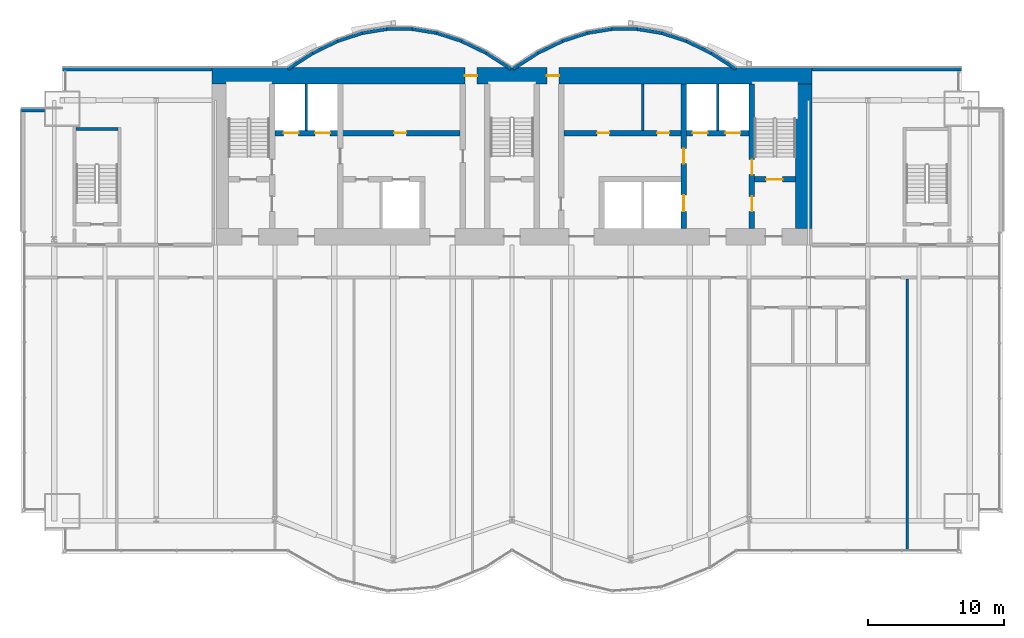
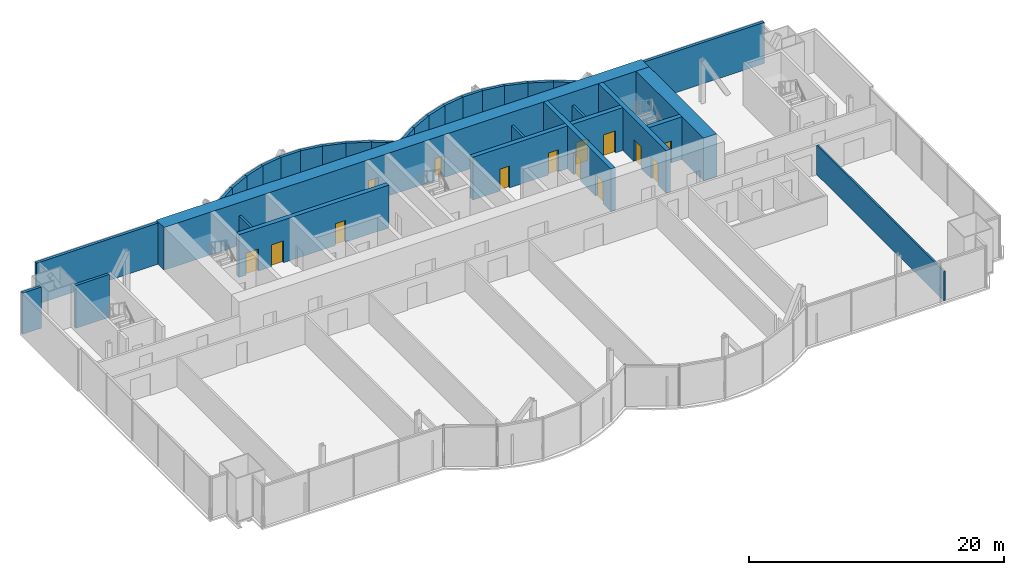
# One storey, part 18 of 22: 33 walls, 14 doors, 14 openings.
"""IFC4 building model written with IfcOpenShell, lengths in metres."""

from ifc_helpers import new_model, si_unit, direction, frame, frame_2d, origin, place, context, subcontext, project, spatial, rectangle, extrude, material, layer, layer_set, layer_usage, type_object, element, fill, save


model = new_model("IFC4")

# Units and contexts
model_context = context("Model", 3, precision=1e-05, world=origin(), true_north=direction((0.0, 1.0)))
body_context = subcontext(model_context, "Body", "Model", "MODEL_VIEW")
ifc_project = project(units=[si_unit("LENGTHUNIT", "METRE"), si_unit("AREAUNIT", "SQUARE_METRE"), si_unit("VOLUMEUNIT", "CUBIC_METRE"), si_unit("PLANEANGLEUNIT", "RADIAN"), si_unit("MASSUNIT", "GRAM", prefix="KILO")], contexts=[model_context])

# Site, building, storey
site_placement = place(None, origin())
site = spatial("IfcSite", under=ifc_project, at=site_placement, CompositionType="ELEMENT")
building_placement = place(site_placement, origin())
building = spatial("IfcBuilding", under=site, at=building_placement, Name="Bicima Exchange Tower", CompositionType="ELEMENT")
storey_placement = place(building_placement, frame((0.0, 0.0, 148.60009765625)))
storey = spatial("IfcBuildingStorey", under=building, at=storey_placement, Name="L32", CompositionType="ELEMENT", Elevation=148.60009765625)

# Walls
ifc_material_1 = material(Name="Gypsum board partition")
ifc_layer_1 = layer(ifc_material_1, 0.199951171875)
ifc_layer_set_1 = layer_set([ifc_layer_1], Name="Gypsum board partition")
wall_type_1 = type_object("IfcWallType", Name="Fire-rated gypsum partition 200 EI120", PredefinedType="PARTITIONING", material=ifc_layer_set_1)
for number, where, z_axis, x_axis, name in (
    (1, (-15.10009765625, -4.60009765625, 0.0), (0.0, 0.0, 1.0), (0.0, 1.0, 0.0), "partition wall 9"),
    (2, (15.10009765625, -4.60009765625, 0.0), (0.0, 0.0, 1.0), (0.0, 1.0, 0.0), "partition wall 21"),
):
    element("IfcWall", number, at=place(storey_placement, frame(where, z_axis=z_axis, x_axis=x_axis)), inside=storey, type_object=wall_type_1, Name=name, PredefinedType="PARTITIONING", context=body_context, shape_type="SweptSolid", body=[
        extrude(rectangle(XDim=3.400146484375, YDim=0.199951171875, at=frame_2d((1.7001953125, 0.0))), origin(), (0.0, 0.0, 1.0), 2.840087890625),
    ])
ifc_layer_2 = layer(ifc_material_1, 0.199951171875)
ifc_layer_set_2 = layer_set([ifc_layer_2], Name="Gypsum board partition")
wall_type_2 = type_object("IfcWallType", Name="Fire-rated gypsum partition 200 EI60", PredefinedType="PARTITIONING", material=ifc_layer_set_2)
wall_1_placement = place(storey_placement, frame((9.60009765625, -4.60009765625, 0.0), z_axis=(0.0, 0.0, 1.0), x_axis=(0.0, 1.0, 0.0)))
element("IfcWall", 3, at=wall_1_placement, inside=storey, type_object=wall_type_2, Name="partition wall 19", PredefinedType="PARTITIONING", context=body_context, shape_type="SweptSolid", body=[
    extrude(rectangle(XDim=3.400146484375, YDim=0.199951171875, at=frame_2d((1.7001953125, 0.0))), origin(), (0.0, 0.0, 1.0), 2.840087890625),
])
ifc_layer_3 = layer(ifc_material_1, 0.14990234375)
ifc_layer_set_3 = layer_set([ifc_layer_3], Name="Gypsum board partition")
wall_type_3 = type_object("IfcWallType", Name="Gypsum partition 150", PredefinedType="PARTITIONING", material=ifc_layer_set_3)
wall_2_placement = place(storey_placement, frame((29.0, -35.449951171875, 0.0), z_axis=(0.0, 0.0, 1.0), x_axis=(0.0, 1.0, 0.0)))
element("IfcWall", 4, at=wall_2_placement, inside=storey, type_object=wall_type_3, Name="partition wall 27", PredefinedType="PARTITIONING", context=body_context, shape_type="SweptSolid", body=[
    extrude(rectangle(XDim=19.949951171875, YDim=0.14990234375, at=frame_2d((9.97509765625, 0.0))), origin(), (0.0, 0.0, 1.0), 2.840087890625),
])

# Wall, openings, doors
ifc_material_2 = material(Name="Concrete C50/60", Category="concrete")
ifc_layer_4 = layer(ifc_material_2, 1.199951171875)
ifc_layer_set_4 = layer_set([ifc_layer_4], Name="Concrete C50/60")
wall_type_4 = type_object("IfcWallType", Name="RC core wall 1200 C50/60", PredefinedType="SHEAR", material=ifc_layer_set_4)
wall_3_placement = place(storey_placement, frame((-22.0, -0.60009765625, 0.0), z_axis=(0.0, 0.0, 1.0), x_axis=(1.0, 0.0, 0.0)))
wall_3 = element("IfcWall", 5, at=wall_3_placement, inside=storey, type_object=wall_type_4, Name="Core wall north", PredefinedType="SHEAR", context=body_context, shape_type="SweptSolid", body=[
    extrude(rectangle(XDim=44.0, YDim=1.199951171875, at=frame_2d((22.0, 0.0))), origin(), (0.0, 0.0, 1.0), 4.099853515625),
])
opening_1_placement = place(wall_3_placement, frame((18.550048828125, 0.0, 0.0)))
opening_1 = element("IfcOpeningElement", 6, at=opening_1_placement, cuts=wall_3, Name="Opening L32-C16", PredefinedType="OPENING", context=body_context, shape_type="SweptSolid", body=[
    extrude(rectangle(XDim=0.89990234375, YDim=2.10009765625, at=frame_2d((0.449951171875, 1.050048828125))), frame((0.0, 0.61181640625, 0.0), z_axis=(0.0, -1.0, 0.0), x_axis=(1.0, 0.0, 0.0)), (0.0, 0.0, 1.0), 1.223876953125),
])
opening_2_placement = place(wall_3_placement, frame((24.550048828125, 0.0, 0.0)))
opening_2 = element("IfcOpeningElement", 7, at=opening_2_placement, cuts=wall_3, Name="Opening L32-C17", PredefinedType="OPENING", context=body_context, shape_type="SweptSolid", body=[
    extrude(rectangle(XDim=0.89990234375, YDim=2.10009765625, at=frame_2d((0.449951171875, 1.050048828125))), frame((0.0, 0.61181640625, 0.0), z_axis=(0.0, -1.0, 0.0), x_axis=(1.0, 0.0, 0.0)), (0.0, 0.0, 1.0), 1.223876953125),
])
ifc_material_3 = material(Name="Steel fire door leaf", Category="steel")
door_type_1 = type_object("IfcDoorType", Name="Door 900 swing FD30S", OperationType="SINGLE_SWING_LEFT", PredefinedType="DOOR", material=ifc_material_3)
door_1_placement = place(opening_1_placement, origin())
door_1 = element("IfcDoor", 8, at=door_1_placement, inside=storey, type_object=door_type_1, Name="Core door", OperationType="SINGLE_SWING_LEFT", OverallHeight=2.10009765625, OverallWidth=0.89990234375, PredefinedType="DOOR", context=body_context, shape_type="SweptSolid", body=[
    extrude(rectangle(XDim=0.89990234375, YDim=2.10009765625, at=frame_2d((0.449951171875, 1.050048828125))), frame((0.0, 0.02490234375, 0.0), z_axis=(0.0, -1.0, 0.0), x_axis=(1.0, 0.0, 0.0)), (0.0, 0.0, 1.0), 0.050048828125),
])
fill(opening_1, door_1)
door_2_placement = place(opening_2_placement, origin())
door_2 = element("IfcDoor", 9, at=door_2_placement, inside=storey, type_object=door_type_1, Name="Core door", OperationType="SINGLE_SWING_LEFT", OverallHeight=2.10009765625, OverallWidth=0.89990234375, PredefinedType="DOOR", context=body_context, shape_type="SweptSolid", body=[
    extrude(rectangle(XDim=0.89990234375, YDim=2.10009765625, at=frame_2d((0.449951171875, 1.050048828125))), frame((0.0, 0.02490234375, 0.0), z_axis=(0.0, -1.0, 0.0), x_axis=(1.0, 0.0, 0.0)), (0.0, 0.0, 1.0), 0.050048828125),
])
fill(opening_2, door_2)

# Wall
wall_4_placement = place(storey_placement, frame((21.39990234375, -11.800048828125, 0.0), z_axis=(0.0, 0.0, 1.0), x_axis=(0.0, 1.0, 0.0)))
element("IfcWall", 10, at=wall_4_placement, inside=storey, type_object=wall_type_4, Name="Core wall east", PredefinedType="SHEAR", context=body_context, shape_type="SweptSolid", body=[
    extrude(rectangle(XDim=10.60009765625, YDim=1.199951171875, at=frame_2d((5.300048828125, 0.0))), origin(), (0.0, 0.0, 1.0), 4.099853515625),
])

# Wall, opening, door
ifc_layer_5 = layer(ifc_material_2, 0.39990234375)
ifc_layer_set_5 = layer_set([ifc_layer_5], Name="Concrete C50/60")
wall_type_5 = type_object("IfcWallType", Name="RC core wall 400 C50/60", PredefinedType="SHEAR", material=ifc_layer_set_5)
wall_5_placement = place(storey_placement, frame((17.800048828125, -8.199951171875, 0.0), z_axis=(0.0, 0.0, 1.0), x_axis=(1.0, 0.0, 0.0)))
wall_5 = element("IfcWall", 11, at=wall_5_placement, inside=storey, type_object=wall_type_5, Name="stair wall 5", PredefinedType="SHEAR", context=body_context, shape_type="SweptSolid", body=[
    extrude(rectangle(XDim=3.0, YDim=0.39990234375, at=frame_2d((1.5, 0.0))), origin(), (0.0, 0.0, 1.0), 4.099853515625),
])
opening_3_placement = place(wall_5_placement, frame((0.85009765625, 0.0, 0.0)))
opening_3 = element("IfcOpeningElement", 12, at=opening_3_placement, cuts=wall_5, Name="Opening L32-C04", PredefinedType="OPENING", context=body_context, shape_type="SweptSolid", body=[
    extrude(rectangle(XDim=1.199951171875, YDim=2.10009765625, at=frame_2d((0.60009765625, 1.050048828125))), frame((0.0, 0.2119140625, 0.0), z_axis=(0.0, -1.0, 0.0), x_axis=(1.0, 0.0, 0.0)), (0.0, 0.0, 1.0), 0.423828125),
])
door_type_2 = type_object("IfcDoorType", Name="Door 1200 swing FD60S", OperationType="SINGLE_SWING_LEFT", PredefinedType="DOOR", material=ifc_material_3)
door_3_placement = place(opening_3_placement, origin())
door_3 = element("IfcDoor", 13, at=door_3_placement, inside=storey, type_object=door_type_2, Name="Core door", OperationType="SINGLE_SWING_RIGHT", OverallHeight=2.10009765625, OverallWidth=1.199951171875, PredefinedType="DOOR", context=body_context, shape_type="SweptSolid", body=[
    extrude(rectangle(XDim=1.199951171875, YDim=2.10009765625, at=frame_2d((0.60009765625, 1.050048828125))), frame((0.0, 0.02490234375, 0.0), z_axis=(0.0, -1.0, 0.0), x_axis=(1.0, 0.0, 0.0)), (0.0, 0.0, 1.0), 0.050048828125),
])
fill(opening_3, door_3)

# Wall, openings, doors
wall_6_placement = place(storey_placement, frame((-17.39990234375, -4.800048828125, 0.0), z_axis=(0.0, 0.0, 1.0), x_axis=(1.0, 0.0, 0.0)))
wall_6 = element("IfcWall", 14, at=wall_6_placement, inside=storey, type_object=wall_type_5, Name="shear wall 6", PredefinedType="SHEAR", context=body_context, shape_type="SweptSolid", body=[
    extrude(rectangle(XDim=13.599853515625, YDim=0.39990234375, at=frame_2d((6.7998046875, 0.0))), origin(), (0.0, 0.0, 1.0), 4.099853515625),
])
opening_4_placement = place(wall_6_placement, frame((0.64990234375, 0.0, 0.0)))
opening_4 = element("IfcOpeningElement", 15, at=opening_4_placement, cuts=wall_6, Name="Opening LD-FF1-L32", PredefinedType="OPENING", context=body_context, shape_type="SweptSolid", body=[
    extrude(rectangle(XDim=1.10009765625, YDim=2.10009765625, at=frame_2d((0.550048828125, 1.050048828125))), frame((0.0, 0.2119140625, 0.0), z_axis=(0.0, -1.0, 0.0), x_axis=(1.0, 0.0, 0.0)), (0.0, 0.0, 1.0), 0.423828125),
])
opening_5_placement = place(wall_6_placement, frame((2.949951171875, 0.0, 0.0)))
opening_5 = element("IfcOpeningElement", 16, at=opening_5_placement, cuts=wall_6, Name="Opening LD-FF3-L32", PredefinedType="OPENING", context=body_context, shape_type="SweptSolid", body=[
    extrude(rectangle(XDim=1.10009765625, YDim=2.10009765625, at=frame_2d((0.550048828125, 1.050048828125))), frame((0.0, 0.2119140625, 0.0), z_axis=(0.0, -1.0, 0.0), x_axis=(1.0, 0.0, 0.0)), (0.0, 0.0, 1.0), 0.423828125),
])
opening_6_placement = place(wall_6_placement, frame((8.75, 0.0, 0.0)))
opening_6 = element("IfcOpeningElement", 17, at=opening_6_placement, cuts=wall_6, Name="Opening L32-C12", PredefinedType="OPENING", context=body_context, shape_type="SweptSolid", body=[
    extrude(rectangle(XDim=0.89990234375, YDim=2.10009765625, at=frame_2d((0.449951171875, 1.050048828125))), frame((0.0, 0.2119140625, 0.0), z_axis=(0.0, -1.0, 0.0), x_axis=(1.0, 0.0, 0.0)), (0.0, 0.0, 1.0), 0.423828125),
])
door_4_placement = place(opening_6_placement, origin())
door_4 = element("IfcDoor", 18, at=door_4_placement, inside=storey, type_object=door_type_1, Name="Core door", OperationType="SINGLE_SWING_RIGHT", OverallHeight=2.10009765625, OverallWidth=0.89990234375, PredefinedType="DOOR", context=body_context, shape_type="SweptSolid", body=[
    extrude(rectangle(XDim=0.89990234375, YDim=2.10009765625, at=frame_2d((0.449951171875, 1.050048828125))), frame((0.0, 0.02490234375, 0.0), z_axis=(0.0, -1.0, 0.0), x_axis=(1.0, 0.0, 0.0)), (0.0, 0.0, 1.0), 0.050048828125),
])
fill(opening_6, door_4)
ifc_material_4 = material(Name="Stainless steel", Category="steel")
door_type_3 = type_object("IfcDoorType", Name="Lift landing door 1100 sliding", OperationType="DOUBLE_DOOR_SLIDING", PredefinedType="DOOR", material=ifc_material_4)
door_5_placement = place(opening_4_placement, origin())
door_5 = element("IfcDoor", 19, at=door_5_placement, inside=storey, type_object=door_type_3, Name="Lift landing door FF1", OperationType="DOUBLE_DOOR_SLIDING", OverallHeight=2.10009765625, OverallWidth=1.10009765625, PredefinedType="DOOR", context=body_context, shape_type="SweptSolid", body=[
    extrude(rectangle(XDim=1.10009765625, YDim=2.10009765625, at=frame_2d((0.550048828125, 1.050048828125))), frame((0.0, 0.02490234375, 0.0), z_axis=(0.0, -1.0, 0.0), x_axis=(1.0, 0.0, 0.0)), (0.0, 0.0, 1.0), 0.050048828125),
])
fill(opening_4, door_5)
door_6_placement = place(opening_5_placement, origin())
door_6 = element("IfcDoor", 20, at=door_6_placement, inside=storey, type_object=door_type_3, Name="Lift landing door FF3", OperationType="DOUBLE_DOOR_SLIDING", OverallHeight=2.10009765625, OverallWidth=1.10009765625, PredefinedType="DOOR", context=body_context, shape_type="SweptSolid", body=[
    extrude(rectangle(XDim=1.10009765625, YDim=2.10009765625, at=frame_2d((0.550048828125, 1.050048828125))), frame((0.0, 0.02490234375, 0.0), z_axis=(0.0, -1.0, 0.0), x_axis=(1.0, 0.0, 0.0)), (0.0, 0.0, 1.0), 0.050048828125),
])
fill(opening_5, door_6)

wall_7_placement = place(storey_placement, frame((3.800048828125, -4.800048828125, 0.0), z_axis=(0.0, 0.0, 1.0), x_axis=(1.0, 0.0, 0.0)))
wall_7 = element("IfcWall", 21, at=wall_7_placement, inside=storey, type_object=wall_type_5, Name="shear wall 7", PredefinedType="SHEAR", context=body_context, shape_type="SweptSolid", body=[
    extrude(rectangle(XDim=13.599853515625, YDim=0.39990234375, at=frame_2d((6.7998046875, 0.0))), origin(), (0.0, 0.0, 1.0), 4.099853515625),
])
opening_7_placement = place(wall_7_placement, frame((9.449951171875, 0.0, 0.0)))
opening_7 = element("IfcOpeningElement", 22, at=opening_7_placement, cuts=wall_7, Name="Opening LD-FF2-L32", PredefinedType="OPENING", context=body_context, shape_type="SweptSolid", body=[
    extrude(rectangle(XDim=1.10009765625, YDim=2.10009765625, at=frame_2d((0.550048828125, 1.050048828125))), frame((0.0, 0.2119140625, 0.0), z_axis=(0.0, -1.0, 0.0), x_axis=(1.0, 0.0, 0.0)), (0.0, 0.0, 1.0), 0.423828125),
])
opening_8_placement = place(wall_7_placement, frame((11.85009765625, 0.0, 0.0)))
opening_8 = element("IfcOpeningElement", 23, at=opening_8_placement, cuts=wall_7, Name="Opening LD-SV1-L32", PredefinedType="OPENING", context=body_context, shape_type="SweptSolid", body=[
    extrude(rectangle(XDim=1.10009765625, YDim=2.10009765625, at=frame_2d((0.550048828125, 1.050048828125))), frame((0.0, 0.2119140625, 0.0), z_axis=(0.0, -1.0, 0.0), x_axis=(1.0, 0.0, 0.0)), (0.0, 0.0, 1.0), 0.423828125),
])
opening_9_placement = place(wall_7_placement, frame((2.449951171875, 0.0, 0.0)))
opening_9 = element("IfcOpeningElement", 24, at=opening_9_placement, cuts=wall_7, Name="Opening L32-C13", PredefinedType="OPENING", context=body_context, shape_type="SweptSolid", body=[
    extrude(rectangle(XDim=0.89990234375, YDim=2.10009765625, at=frame_2d((0.449951171875, 1.050048828125))), frame((0.0, 0.2119140625, 0.0), z_axis=(0.0, -1.0, 0.0), x_axis=(1.0, 0.0, 0.0)), (0.0, 0.0, 1.0), 0.423828125),
])
opening_10_placement = place(wall_7_placement, frame((6.85009765625, 0.0, 0.0)))
opening_10 = element("IfcOpeningElement", 25, at=opening_10_placement, cuts=wall_7, Name="Opening L32-C14", PredefinedType="OPENING", context=body_context, shape_type="SweptSolid", body=[
    extrude(rectangle(XDim=0.89990234375, YDim=2.10009765625, at=frame_2d((0.449951171875, 1.050048828125))), frame((0.0, 0.2119140625, 0.0), z_axis=(0.0, -1.0, 0.0), x_axis=(1.0, 0.0, 0.0)), (0.0, 0.0, 1.0), 0.423828125),
])
door_7_placement = place(opening_9_placement, origin())
door_7 = element("IfcDoor", 26, at=door_7_placement, inside=storey, type_object=door_type_1, Name="Core door", OperationType="SINGLE_SWING_LEFT", OverallHeight=2.10009765625, OverallWidth=0.89990234375, PredefinedType="DOOR", context=body_context, shape_type="SweptSolid", body=[
    extrude(rectangle(XDim=0.89990234375, YDim=2.10009765625, at=frame_2d((0.449951171875, 1.050048828125))), frame((0.0, 0.02490234375, 0.0), z_axis=(0.0, -1.0, 0.0), x_axis=(1.0, 0.0, 0.0)), (0.0, 0.0, 1.0), 0.050048828125),
])
fill(opening_9, door_7)
door_8_placement = place(opening_10_placement, origin())
door_8 = element("IfcDoor", 27, at=door_8_placement, inside=storey, type_object=door_type_1, Name="Core door", OperationType="SINGLE_SWING_RIGHT", OverallHeight=2.10009765625, OverallWidth=0.89990234375, PredefinedType="DOOR", context=body_context, shape_type="SweptSolid", body=[
    extrude(rectangle(XDim=0.89990234375, YDim=2.10009765625, at=frame_2d((0.449951171875, 1.050048828125))), frame((0.0, 0.02490234375, 0.0), z_axis=(0.0, -1.0, 0.0), x_axis=(1.0, 0.0, 0.0)), (0.0, 0.0, 1.0), 0.050048828125),
])
fill(opening_10, door_8)
door_9_placement = place(opening_7_placement, origin())
door_9 = element("IfcDoor", 28, at=door_9_placement, inside=storey, type_object=door_type_3, Name="Lift landing door FF2", OperationType="DOUBLE_DOOR_SLIDING", OverallHeight=2.10009765625, OverallWidth=1.10009765625, PredefinedType="DOOR", context=body_context, shape_type="SweptSolid", body=[
    extrude(rectangle(XDim=1.10009765625, YDim=2.10009765625, at=frame_2d((0.550048828125, 1.050048828125))), frame((0.0, 0.02490234375, 0.0), z_axis=(0.0, -1.0, 0.0), x_axis=(1.0, 0.0, 0.0)), (0.0, 0.0, 1.0), 0.050048828125),
])
fill(opening_7, door_9)
door_10_placement = place(opening_8_placement, origin())
door_10 = element("IfcDoor", 29, at=door_10_placement, inside=storey, type_object=door_type_3, Name="Lift landing door SV1", OperationType="DOUBLE_DOOR_SLIDING", OverallHeight=2.10009765625, OverallWidth=1.10009765625, PredefinedType="DOOR", context=body_context, shape_type="SweptSolid", body=[
    extrude(rectangle(XDim=1.10009765625, YDim=2.10009765625, at=frame_2d((0.550048828125, 1.050048828125))), frame((0.0, 0.02490234375, 0.0), z_axis=(0.0, -1.0, 0.0), x_axis=(1.0, 0.0, 0.0)), (0.0, 0.0, 1.0), 0.050048828125),
])
fill(opening_8, door_10)

wall_8_placement = place(storey_placement, frame((12.60009765625, -11.800048828125, 0.0), z_axis=(0.0, 0.0, 1.0), x_axis=(0.0, 1.0, 0.0)))
wall_8 = element("IfcWall", 30, at=wall_8_placement, inside=storey, type_object=wall_type_5, Name="shear wall 20", PredefinedType="SHEAR", context=body_context, shape_type="SweptSolid", body=[
    extrude(rectangle(XDim=10.60009765625, YDim=0.39990234375, at=frame_2d((5.300048828125, 0.0))), origin(), (0.0, 0.0, 1.0), 4.099853515625),
])
opening_11_placement = place(wall_8_placement, frame((1.25, 0.0, 0.0)))
opening_11 = element("IfcOpeningElement", 31, at=opening_11_placement, cuts=wall_8, Name="Opening LD-MB2-L32", PredefinedType="OPENING", context=body_context, shape_type="SweptSolid", body=[
    extrude(rectangle(XDim=1.199951171875, YDim=2.10009765625, at=frame_2d((0.60009765625, 1.050048828125))), frame((0.0, 0.2119140625, 0.0), z_axis=(0.0, -1.0, 0.0), x_axis=(1.0, 0.0, 0.0)), (0.0, 0.0, 1.0), 0.423828125),
])
opening_12_placement = place(wall_8_placement, frame((4.75, 0.0, 0.0)))
opening_12 = element("IfcOpeningElement", 32, at=opening_12_placement, cuts=wall_8, Name="Opening L32-C09", PredefinedType="OPENING", context=body_context, shape_type="SweptSolid", body=[
    extrude(rectangle(XDim=1.10009765625, YDim=2.10009765625, at=frame_2d((0.550048828125, 1.050048828125))), frame((0.0, 0.2119140625, 0.0), z_axis=(0.0, -1.0, 0.0), x_axis=(1.0, 0.0, 0.0)), (0.0, 0.0, 1.0), 0.423828125),
])
door_type_4 = type_object("IfcDoorType", Name="Door 1100 swing FD60S", OperationType="SINGLE_SWING_LEFT", PredefinedType="DOOR", material=ifc_material_3)
door_11_placement = place(opening_12_placement, frame((1.10009765625, 0.0, 0.0), z_axis=(0.0, 0.0, 1.0), x_axis=(-1.0, 0.0, 0.0)))
door_11 = element("IfcDoor", 33, at=door_11_placement, inside=storey, type_object=door_type_4, Name="Core door", OperationType="SINGLE_SWING_RIGHT", OverallHeight=2.10009765625, OverallWidth=1.10009765625, PredefinedType="DOOR", context=body_context, shape_type="SweptSolid", body=[
    extrude(rectangle(XDim=1.10009765625, YDim=2.10009765625, at=frame_2d((0.550048828125, 1.050048828125))), frame((0.0, 0.02490234375, 0.0), z_axis=(0.0, -1.0, 0.0), x_axis=(1.0, 0.0, 0.0)), (0.0, 0.0, 1.0), 0.050048828125),
])
fill(opening_12, door_11)
door_type_5 = type_object("IfcDoorType", Name="Lift landing door 1200 sliding", OperationType="DOUBLE_DOOR_SLIDING", PredefinedType="DOOR", material=ifc_material_4)
door_12_placement = place(opening_11_placement, origin())
door_12 = element("IfcDoor", 34, at=door_12_placement, inside=storey, type_object=door_type_5, Name="Lift landing door MB2", OperationType="DOUBLE_DOOR_SLIDING", OverallHeight=2.10009765625, OverallWidth=1.199951171875, PredefinedType="DOOR", context=body_context, shape_type="SweptSolid", body=[
    extrude(rectangle(XDim=1.199951171875, YDim=2.10009765625, at=frame_2d((0.60009765625, 1.050048828125))), frame((0.0, 0.02490234375, 0.0), z_axis=(0.0, -1.0, 0.0), x_axis=(1.0, 0.0, 0.0)), (0.0, 0.0, 1.0), 0.050048828125),
])
fill(opening_11, door_12)

wall_9_placement = place(storey_placement, frame((17.60009765625, -11.800048828125, 0.0), z_axis=(0.0, 0.0, 1.0), x_axis=(0.0, 1.0, 0.0)))
wall_9 = element("IfcWall", 35, at=wall_9_placement, inside=storey, type_object=wall_type_5, Name="stair wall 22", PredefinedType="SHEAR", context=body_context, shape_type="SweptSolid", body=[
    extrude(rectangle(XDim=10.60009765625, YDim=0.39990234375, at=frame_2d((5.300048828125, 0.0))), origin(), (0.0, 0.0, 1.0), 4.099853515625),
])
opening_13_placement = place(wall_9_placement, frame((1.25, 0.0, 0.0)))
opening_13 = element("IfcOpeningElement", 36, at=opening_13_placement, cuts=wall_9, Name="Opening L32-C05", PredefinedType="OPENING", context=body_context, shape_type="SweptSolid", body=[
    extrude(rectangle(XDim=1.10009765625, YDim=2.10009765625, at=frame_2d((0.550048828125, 1.050048828125))), frame((0.0, 0.2119140625, 0.0), z_axis=(0.0, -1.0, 0.0), x_axis=(1.0, 0.0, 0.0)), (0.0, 0.0, 1.0), 0.423828125),
])
opening_14_placement = place(wall_9_placement, frame((3.949951171875, 0.0, 0.0)))
opening_14 = element("IfcOpeningElement", 37, at=opening_14_placement, cuts=wall_9, Name="Opening L32-C08", PredefinedType="OPENING", context=body_context, shape_type="SweptSolid", body=[
    extrude(rectangle(XDim=1.10009765625, YDim=2.10009765625, at=frame_2d((0.550048828125, 1.050048828125))), frame((0.0, 0.2119140625, 0.0), z_axis=(0.0, -1.0, 0.0), x_axis=(1.0, 0.0, 0.0)), (0.0, 0.0, 1.0), 0.423828125),
])
door_13_placement = place(opening_13_placement, origin())
door_13 = element("IfcDoor", 38, at=door_13_placement, inside=storey, type_object=door_type_4, Name="Core door", OperationType="SINGLE_SWING_LEFT", OverallHeight=2.10009765625, OverallWidth=1.10009765625, PredefinedType="DOOR", context=body_context, shape_type="SweptSolid", body=[
    extrude(rectangle(XDim=1.10009765625, YDim=2.10009765625, at=frame_2d((0.550048828125, 1.050048828125))), frame((0.0, 0.02490234375, 0.0), z_axis=(0.0, -1.0, 0.0), x_axis=(1.0, 0.0, 0.0)), (0.0, 0.0, 1.0), 0.050048828125),
])
fill(opening_13, door_13)
door_14_placement = place(opening_14_placement, origin())
door_14 = element("IfcDoor", 39, at=door_14_placement, inside=storey, type_object=door_type_4, Name="Core door", OperationType="SINGLE_SWING_RIGHT", OverallHeight=2.10009765625, OverallWidth=1.10009765625, PredefinedType="DOOR", context=body_context, shape_type="SweptSolid", body=[
    extrude(rectangle(XDim=1.10009765625, YDim=2.10009765625, at=frame_2d((0.550048828125, 1.050048828125))), frame((0.0, 0.02490234375, 0.0), z_axis=(0.0, -1.0, 0.0), x_axis=(1.0, 0.0, 0.0)), (0.0, 0.0, 1.0), 0.050048828125),
])
fill(opening_14, door_14)

# Walls
ifc_layer_6 = layer(ifc_material_2, 0.25)
ifc_layer_set_6 = layer_set([ifc_layer_6], Name="Concrete C50/60")
wall_type_6 = type_object("IfcWallType", Name="RC stair enclosure wall 250 C50/60", PredefinedType="SHEAR", material=ifc_layer_set_6)
wall_10_placement = place(storey_placement, frame((-31.97509765625, -4.5, 0.0), z_axis=(0.0, 0.0, 1.0), x_axis=(1.0, 0.0, 0.0)))
element("IfcWall", 40, at=wall_10_placement, inside=storey, type_object=wall_type_6, Name="West end exit stair wall N", PredefinedType="SHEAR", context=body_context, shape_type="SweptSolid", body=[
    extrude(rectangle(XDim=3.050048828125, YDim=0.25, at=frame_2d((1.52490234375, 0.0))), origin(), (0.0, 0.0, 1.0), 4.099853515625),
])
ifc_material_5 = material(Name="Concrete C40/50", Category="concrete")
ifc_layer_7 = layer(ifc_material_5, 0.25)
ifc_layer_set_7 = layer_set([ifc_layer_7], Name="Concrete C40/50")
ifc_layer_usage = layer_usage(ifc_layer_set_7, "AXIS2", "POSITIVE", -0.125)
wall_type_7 = type_object("IfcWallType", Name="Rear backup wall 250", PredefinedType="STANDARD", material=ifc_layer_set_7)
wall_11_placement = place(storey_placement, frame((33.0, -0.125, 0.0), z_axis=(0.0, 0.0, 1.0), x_axis=(-1.0, 0.0, 0.0)))
element("IfcWall", 41, at=wall_11_placement, inside=storey, type_object=wall_type_7, material=ifc_layer_usage, Name="Rear backup wall L32 1", PredefinedType="STANDARD", context=body_context, shape_type="SweptSolid", body=[
    extrude(rectangle(XDim=11.0, YDim=0.25, at=frame_2d((5.5, 0.0))), origin(), (0.0, 0.0, 1.0), 3.949951171875),
])
wall_12_placement = place(storey_placement, frame((16.43212890625, -0.10498046875, 0.0), z_axis=(0.0, 0.0, 1.0), x_axis=(-0.83981312244, 0.542875602121, 0.0)))
element("IfcWall", 42, at=wall_12_placement, inside=storey, type_object=wall_type_7, material=ifc_layer_usage, Name="Rear backup wall L32 2", PredefinedType="STANDARD", context=body_context, shape_type="SweptSolid", body=[
    extrude(rectangle(XDim=2.182861328125, YDim=0.25, at=frame_2d((1.09130859375, 0.0))), origin(), (0.0, 0.0, 1.0), 3.949951171875),
])
wall_13_placement = place(storey_placement, frame((14.6123046875, 1.07275390625, 0.0), z_axis=(0.0, 0.0, 1.0), x_axis=(-0.89982408427, 0.436252928206, 0.0)))
element("IfcWall", 43, at=wall_13_placement, inside=storey, type_object=wall_type_7, material=ifc_layer_usage, Name="Rear backup wall L32 3", PredefinedType="STANDARD", context=body_context, shape_type="SweptSolid", body=[
    extrude(rectangle(XDim=2.03759765625, YDim=0.25, at=frame_2d((1.018798828125, 0.0))), origin(), (0.0, 0.0, 1.0), 3.949951171875),
])
wall_14_placement = place(storey_placement, frame((12.794921875, 1.955078125, 0.0), z_axis=(0.0, 0.0, 1.0), x_axis=(-0.951495806175, 0.307661714928, 0.0)))
element("IfcWall", 44, at=wall_14_placement, inside=storey, type_object=wall_type_7, material=ifc_layer_usage, Name="Rear backup wall L32 4", PredefinedType="STANDARD", context=body_context, shape_type="SweptSolid", body=[
    extrude(rectangle(XDim=1.9267578125, YDim=0.25, at=frame_2d((0.96337890625, 0.0))), origin(), (0.0, 0.0, 1.0), 3.949951171875),
])
wall_15_placement = place(storey_placement, frame((10.97998046875, 2.543212890625, 0.0), z_axis=(0.0, 0.0, 1.0), x_axis=(-0.987181718931, 0.159600293885, 0.0)))
element("IfcWall", 45, at=wall_15_placement, inside=storey, type_object=wall_type_7, material=ifc_layer_usage, Name="Rear backup wall L32 5", PredefinedType="STANDARD", context=body_context, shape_type="SweptSolid", body=[
    extrude(rectangle(XDim=1.857177734375, YDim=0.25, at=frame_2d((0.9287109375, 0.0))), origin(), (0.0, 0.0, 1.0), 3.949951171875),
])
wall_16_placement = place(storey_placement, frame((9.166748046875, 2.837890625, 0.0), z_axis=(0.0, 0.0, 1.0), x_axis=(-1.0, 0.0, 0.0)))
element("IfcWall", 46, at=wall_16_placement, inside=storey, type_object=wall_type_7, material=ifc_layer_usage, Name="Rear backup wall L32 6", PredefinedType="STANDARD", context=body_context, shape_type="SweptSolid", body=[
    extrude(rectangle(XDim=1.83349609375, YDim=0.25, at=frame_2d((0.916748046875, 0.0))), origin(), (0.0, 0.0, 1.0), 3.949951171875),
])
wall_17_placement = place(storey_placement, frame((7.353271484375, 2.839599609375, 0.0), z_axis=(0.0, 0.0, 1.0), x_axis=(-0.987181718931, -0.159600293885, 0.0)))
element("IfcWall", 47, at=wall_17_placement, inside=storey, type_object=wall_type_7, material=ifc_layer_usage, Name="Rear backup wall L32 7", PredefinedType="STANDARD", context=body_context, shape_type="SweptSolid", body=[
    extrude(rectangle(XDim=1.857177734375, YDim=0.25, at=frame_2d((0.9287109375, 0.0))), origin(), (0.0, 0.0, 1.0), 3.949951171875),
])
wall_18_placement = place(storey_placement, frame((5.538330078125, 2.5478515625, 0.0), z_axis=(0.0, 0.0, 1.0), x_axis=(-0.951495806175, -0.307661714928, 0.0)))
element("IfcWall", 48, at=wall_18_placement, inside=storey, type_object=wall_type_7, material=ifc_layer_usage, Name="Rear backup wall L32 8", PredefinedType="STANDARD", context=body_context, shape_type="SweptSolid", body=[
    extrude(rectangle(XDim=1.9267578125, YDim=0.25, at=frame_2d((0.96337890625, 0.0))), origin(), (0.0, 0.0, 1.0), 3.949951171875),
])
wall_19_placement = place(storey_placement, frame((3.72119140625, 1.961669921875, 0.0), z_axis=(0.0, 0.0, 1.0), x_axis=(-0.89982408427, -0.436252928206, 0.0)))
element("IfcWall", 49, at=wall_19_placement, inside=storey, type_object=wall_type_7, material=ifc_layer_usage, Name="Rear backup wall L32 9", PredefinedType="STANDARD", context=body_context, shape_type="SweptSolid", body=[
    extrude(rectangle(XDim=2.03759765625, YDim=0.25, at=frame_2d((1.018798828125, 0.0))), origin(), (0.0, 0.0, 1.0), 3.949951171875),
])
for number, where, z_axis, x_axis, name in (
    (50, (1.901123046875, 1.080078125, 0.0), (0.0, 0.0, 1.0), (-0.83981312244, -0.542875602121, 0.0), "Rear backup wall L32 10"),
    (51, (-0.06787109375, -0.10498046875, 0.0), (0.0, 0.0, 1.0), (-0.83981312244, 0.542875602121, 0.0), "Rear backup wall L32 11"),
):
    element("IfcWall", number, at=place(storey_placement, frame(where, z_axis=z_axis, x_axis=x_axis)), inside=storey, type_object=wall_type_7, material=ifc_layer_usage, Name=name, PredefinedType="STANDARD", context=body_context, shape_type="SweptSolid", body=[
        extrude(rectangle(XDim=2.182861328125, YDim=0.25, at=frame_2d((1.09130859375, 0.0))), origin(), (0.0, 0.0, 1.0), 3.949951171875),
    ])
wall_20_placement = place(storey_placement, frame((-1.8876953125, 1.07275390625, 0.0), z_axis=(0.0, 0.0, 1.0), x_axis=(-0.89982408427, 0.436252928206, 0.0)))
element("IfcWall", 52, at=wall_20_placement, inside=storey, type_object=wall_type_7, material=ifc_layer_usage, Name="Rear backup wall L32 12", PredefinedType="STANDARD", context=body_context, shape_type="SweptSolid", body=[
    extrude(rectangle(XDim=2.03759765625, YDim=0.25, at=frame_2d((1.018798828125, 0.0))), origin(), (0.0, 0.0, 1.0), 3.949951171875),
])
wall_21_placement = place(storey_placement, frame((-3.705078125, 1.955078125, 0.0), z_axis=(0.0, 0.0, 1.0), x_axis=(-0.951495806175, 0.307661714928, 0.0)))
element("IfcWall", 53, at=wall_21_placement, inside=storey, type_object=wall_type_7, material=ifc_layer_usage, Name="Rear backup wall L32 13", PredefinedType="STANDARD", context=body_context, shape_type="SweptSolid", body=[
    extrude(rectangle(XDim=1.9267578125, YDim=0.25, at=frame_2d((0.96337890625, 0.0))), origin(), (0.0, 0.0, 1.0), 3.949951171875),
])
wall_22_placement = place(storey_placement, frame((-5.52001953125, 2.543212890625, 0.0), z_axis=(0.0, 0.0, 1.0), x_axis=(-0.987181718931, 0.159600293885, 0.0)))
element("IfcWall", 54, at=wall_22_placement, inside=storey, type_object=wall_type_7, material=ifc_layer_usage, Name="Rear backup wall L32 14", PredefinedType="STANDARD", context=body_context, shape_type="SweptSolid", body=[
    extrude(rectangle(XDim=1.857177734375, YDim=0.25, at=frame_2d((0.9287109375, 0.0))), origin(), (0.0, 0.0, 1.0), 3.949951171875),
])
wall_23_placement = place(storey_placement, frame((-7.333251953125, 2.837890625, 0.0), z_axis=(0.0, 0.0, 1.0), x_axis=(-1.0, 0.0, 0.0)))
element("IfcWall", 55, at=wall_23_placement, inside=storey, type_object=wall_type_7, material=ifc_layer_usage, Name="Rear backup wall L32 15", PredefinedType="STANDARD", context=body_context, shape_type="SweptSolid", body=[
    extrude(rectangle(XDim=1.83349609375, YDim=0.25, at=frame_2d((0.916748046875, 0.0))), origin(), (0.0, 0.0, 1.0), 3.949951171875),
])
wall_24_placement = place(storey_placement, frame((-9.146728515625, 2.839599609375, 0.0), z_axis=(0.0, 0.0, 1.0), x_axis=(-0.987181718931, -0.159600293885, 0.0)))
element("IfcWall", 56, at=wall_24_placement, inside=storey, type_object=wall_type_7, material=ifc_layer_usage, Name="Rear backup wall L32 16", PredefinedType="STANDARD", context=body_context, shape_type="SweptSolid", body=[
    extrude(rectangle(XDim=1.857177734375, YDim=0.25, at=frame_2d((0.9287109375, 0.0))), origin(), (0.0, 0.0, 1.0), 3.949951171875),
])
wall_25_placement = place(storey_placement, frame((-10.961669921875, 2.5478515625, 0.0), z_axis=(0.0, 0.0, 1.0), x_axis=(-0.951495806175, -0.307661714928, 0.0)))
element("IfcWall", 57, at=wall_25_placement, inside=storey, type_object=wall_type_7, material=ifc_layer_usage, Name="Rear backup wall L32 17", PredefinedType="STANDARD", context=body_context, shape_type="SweptSolid", body=[
    extrude(rectangle(XDim=1.9267578125, YDim=0.25, at=frame_2d((0.96337890625, 0.0))), origin(), (0.0, 0.0, 1.0), 3.949951171875),
])
wall_26_placement = place(storey_placement, frame((-12.77880859375, 1.961669921875, 0.0), z_axis=(0.0, 0.0, 1.0), x_axis=(-0.89982408427, -0.436252928206, 0.0)))
element("IfcWall", 58, at=wall_26_placement, inside=storey, type_object=wall_type_7, material=ifc_layer_usage, Name="Rear backup wall L32 18", PredefinedType="STANDARD", context=body_context, shape_type="SweptSolid", body=[
    extrude(rectangle(XDim=2.03759765625, YDim=0.25, at=frame_2d((1.018798828125, 0.0))), origin(), (0.0, 0.0, 1.0), 3.949951171875),
])
wall_27_placement = place(storey_placement, frame((-14.598876953125, 1.080078125, 0.0), z_axis=(0.0, 0.0, 1.0), x_axis=(-0.83981312244, -0.542875602121, 0.0)))
element("IfcWall", 59, at=wall_27_placement, inside=storey, type_object=wall_type_7, material=ifc_layer_usage, Name="Rear backup wall L32 19", PredefinedType="STANDARD", context=body_context, shape_type="SweptSolid", body=[
    extrude(rectangle(XDim=2.182861328125, YDim=0.25, at=frame_2d((1.09130859375, 0.0))), origin(), (0.0, 0.0, 1.0), 3.949951171875),
])
wall_28_placement = place(storey_placement, frame((-22.0, -0.125, 0.0), z_axis=(0.0, 0.0, 1.0), x_axis=(-1.0, 0.0, 0.0)))
element("IfcWall", 60, at=wall_28_placement, inside=storey, type_object=wall_type_7, material=ifc_layer_usage, Name="Rear backup wall L32 20", PredefinedType="STANDARD", context=body_context, shape_type="SweptSolid", body=[
    extrude(rectangle(XDim=11.0, YDim=0.25, at=frame_2d((5.5, 0.0))), origin(), (0.0, 0.0, 1.0), 3.949951171875),
])
wall_29_placement = place(storey_placement, frame((-34.300048828125, -3.125, 0.0), z_axis=(0.0, 0.0, 1.0), x_axis=(-1.0, 0.0, 0.0)))
element("IfcWall", 61, at=wall_29_placement, inside=storey, type_object=wall_type_7, material=ifc_layer_usage, Name="Rear backup wall L32 22", PredefinedType="STANDARD", context=body_context, shape_type="SweptSolid", body=[
    extrude(rectangle(XDim=1.699951171875, YDim=0.25, at=frame_2d((0.85009765625, 0.0))), origin(), (0.0, 0.0, 1.0), 3.949951171875),
])

save(model, "model.ifc")
